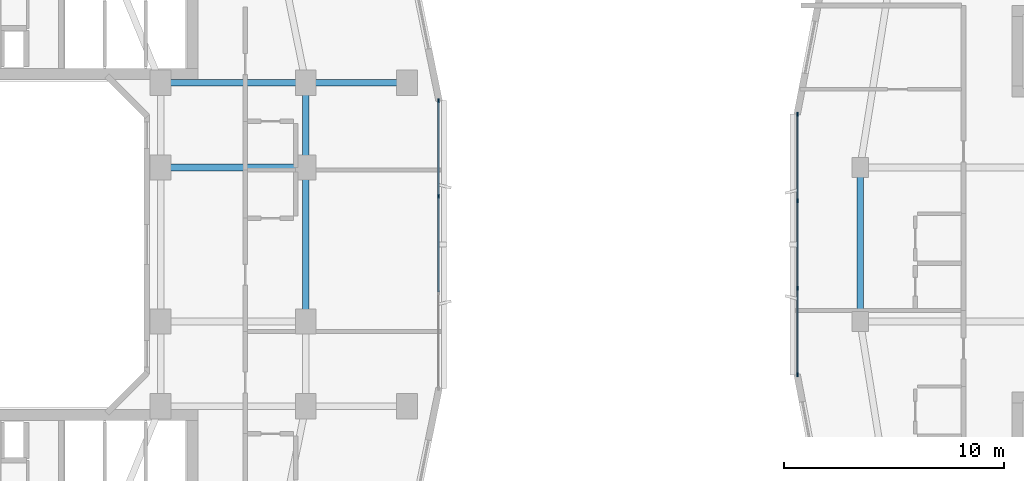
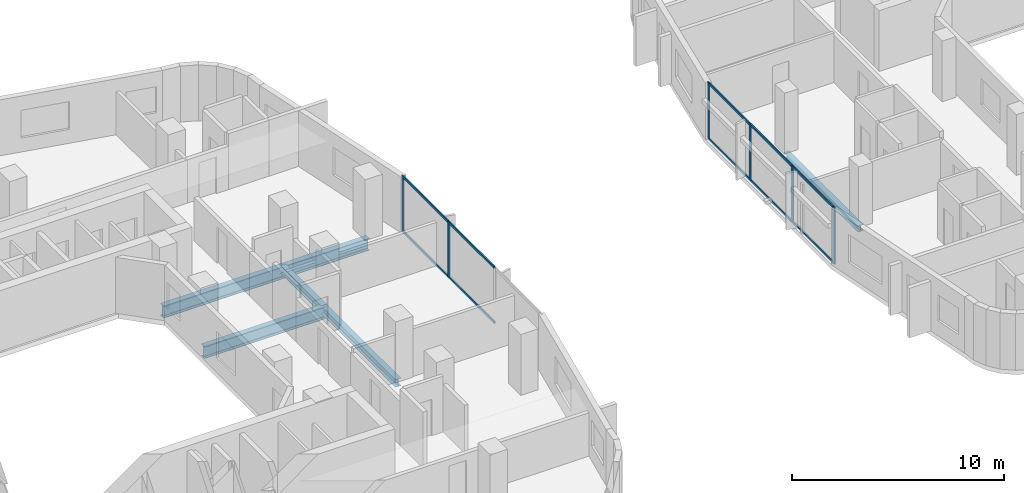
# One storey, part 4 of 22: 16 members, 6 beams, 2 elements without a shape of their own.
"""IFC4 building model written with IfcOpenShell, lengths in metres."""

from ifc_helpers import new_model, si_unit, derived_unit, direction, frame, origin, origin_2d, place, context, subcontext, project, spatial, rectangle, i_section, extrude, material, layer, layer_set, material_profile, profile_set, type_object, element, aggregate, save


model = new_model("IFC4")

# Units and contexts
model_context = context("Model", 3, precision=1e-05, world=origin(), true_north=direction((0.0, 1.0)))
body_context = subcontext(model_context, "Body", "Model", "MODEL_VIEW")
ifc_project = project(units=[si_unit("LENGTHUNIT", "METRE"), si_unit("AREAUNIT", "SQUARE_METRE"), si_unit("VOLUMEUNIT", "CUBIC_METRE"), si_unit("PLANEANGLEUNIT", "RADIAN"), si_unit("MASSUNIT", "GRAM", prefix="KILO"), derived_unit("THERMALTRANSMITTANCEUNIT", [(si_unit("POWERUNIT", "WATT"), 1), (si_unit("LENGTHUNIT", "METRE"), -2), (si_unit("THERMODYNAMICTEMPERATUREUNIT", "KELVIN"), -1)])], contexts=[model_context])

# Site, building, storey
site_placement = place(None, origin())
site = spatial("IfcSite", under=ifc_project, at=site_placement, CompositionType="ELEMENT")
building_placement = place(site_placement, origin())
building = spatial("IfcBuilding", under=site, at=building_placement, Name="Kivonza Crest Hotel", CompositionType="ELEMENT")
storey_placement = place(building_placement, frame((0.0, 0.0, 69.5)))
storey = spatial("IfcBuildingStorey", under=building, at=storey_placement, Name="L18", CompositionType="ELEMENT", Elevation=69.5)

# Beams
ifc_material_1 = material(Name="Steel S355", Category="steel")
ifc_material_profile_1 = material_profile(ifc_material_1, i_section(OverallWidth=0.300048828125, OverallDepth=0.360107421875, WebThickness=0.012451171875, FlangeThickness=0.0224609375, FilletRadius=0.027099609375, at=origin_2d()), Name="HEB 360")
ifc_profile_set_1 = profile_set([ifc_material_profile_1], Name="Steel S355")
beam_type_1 = type_object("IfcBeamType", Name="BM-HEB360", PredefinedType="SPANDREL", material=ifc_profile_set_1)
beam_1_placement = place(storey_placement, frame((61.0, 28.5, -0.429931640625), z_axis=(0.0, -1.0, 0.0), x_axis=(1.0, 0.0, 0.0)))
element("IfcBeam", 1, at=beam_1_placement, inside=storey, type_object=beam_type_1, Name="Companion Tower T2 L18 perimeter spandrel W2-W1", PredefinedType="SPANDREL", context=body_context, shape_type="SweptSolid", body=[
    extrude(i_section(OverallWidth=0.300048828125, OverallDepth=0.360107421875, WebThickness=0.012451171875, FlangeThickness=0.0224609375, FilletRadius=0.027099609375, at=origin_2d()), origin(), (0.0, 0.0, 1.0), 7.0),
])
ifc_material_profile_2 = material_profile(ifc_material_1, i_section(OverallWidth=0.300048828125, OverallDepth=0.449951171875, WebThickness=0.013916015625, FlangeThickness=0.02587890625, FilletRadius=0.027099609375, at=origin_2d()), Name="HEB 450")
ifc_profile_set_2 = profile_set([ifc_material_profile_2], Name="Steel S355")
beam_type_2 = type_object("IfcBeamType", Name="BM-HEB450", PredefinedType="SPANDREL", material=ifc_profile_set_2)
beam_2_placement = place(storey_placement, frame((35.800048828125, 21.5, -0.5048828125), z_axis=(0.0, 1.0, 0.0), x_axis=(-1.0, 0.0, 0.0)))
element("IfcBeam", 2, at=beam_2_placement, inside=storey, type_object=beam_type_2, Name="Tower T1 L18 perimeter spandrel E1-E2", PredefinedType="SPANDREL", context=body_context, shape_type="SweptSolid", body=[
    extrude(i_section(OverallWidth=0.300048828125, OverallDepth=0.449951171875, WebThickness=0.013916015625, FlangeThickness=0.02587890625, FilletRadius=0.027099609375, at=origin_2d()), origin(), (0.0, 0.0, 1.0), 7.0),
])
beam_3_placement = place(storey_placement, frame((35.800048828125, 28.5, -0.5048828125), z_axis=(0.0, 1.0, 0.0), x_axis=(-1.0, 0.0, 0.0)))
element("IfcBeam", 3, at=beam_3_placement, inside=storey, type_object=beam_type_2, Name="Tower T1 L18 perimeter spandrel E2-PNE", PredefinedType="SPANDREL", context=body_context, shape_type="SweptSolid", body=[
    extrude(i_section(OverallWidth=0.300048828125, OverallDepth=0.449951171875, WebThickness=0.013916015625, FlangeThickness=0.02587890625, FilletRadius=0.027099609375, at=origin_2d()), origin(), (0.0, 0.0, 1.0), 3.85009765625),
])
ifc_material_profile_3 = material_profile(ifc_material_1, i_section(OverallWidth=0.300048828125, OverallDepth=0.699951171875, WebThickness=0.01708984375, FlangeThickness=0.031982421875, FilletRadius=0.027099609375, at=origin_2d()), Name="HEB 700")
ifc_profile_set_3 = profile_set([ifc_material_profile_3], Name="Steel S355")
beam_type_3 = type_object("IfcBeamType", Name="BM-HEB700", PredefinedType="BEAM", material=ifc_profile_set_3)
for number, where, z_axis, x_axis, name in (
    (4, (29.199951171875, 32.35009765625, -0.6298828125), (1.0, 0.0, 0.0), (0.0, 1.0, 0.0), "Tower T1 L18 primary girder TNE-PNE"),
    (5, (29.199951171875, 28.5, -0.6298828125), (1.0, 0.0, 0.0), (0.0, 1.0, 0.0), "Tower T1 L18 primary girder WR2-E2"),
):
    element("IfcBeam", number, at=place(storey_placement, frame(where, z_axis=z_axis, x_axis=x_axis)), inside=storey, type_object=beam_type_3, Name=name, PredefinedType="BEAM", context=body_context, shape_type="SweptSolid", body=[
        extrude(i_section(OverallWidth=0.300048828125, OverallDepth=0.699951171875, WebThickness=0.01708984375, FlangeThickness=0.031982421875, FilletRadius=0.027099609375, at=origin_2d()), origin(), (0.0, 0.0, 1.0), 6.60009765625),
    ])
beam_4_placement = place(storey_placement, frame((40.39990234375, 32.35009765625, -0.6298828125), z_axis=(-1.0, 0.0, 0.0), x_axis=(0.0, -1.0, 0.0)))
element("IfcBeam", 6, at=beam_4_placement, inside=storey, type_object=beam_type_3, Name="Tower T1 L18 outer bay girder ZE2", PredefinedType="BEAM", context=body_context, shape_type="SweptSolid", body=[
    extrude(i_section(OverallWidth=0.300048828125, OverallDepth=0.699951171875, WebThickness=0.01708984375, FlangeThickness=0.031982421875, FilletRadius=0.027099609375, at=origin_2d()), origin(), (0.0, 0.0, 1.0), 4.599853515625),
])

# Curtain wall, members
ifc_material_2 = material(Name="Anodised bronze aluminium and low-E double glazing", Category="aluminium")
ifc_layer_1 = layer(ifc_material_2, 0.179931640625)
ifc_layer_set_1 = layer_set([ifc_layer_1], Name="Anodised bronze aluminium and low-E double glazing")
curtain_wall_type_1 = type_object("IfcCurtainWallType", Name="CW-SYS-2", PredefinedType="NOTDEFINED", material=ifc_layer_set_1)
curtain_wall_1_placement = place(storey_placement, origin())
curtain_wall_1 = element("IfcCurtainWall", 7, at=curtain_wall_1_placement, inside=storey, type_object=curtain_wall_type_1, Name="L18 unitised curtain wall CW-T1-L18-17", PredefinedType="NOTDEFINED")
ifc_material_3 = material(Name="Anodised bronze aluminium", Category="aluminium")
ifc_material_profile_4 = material_profile(ifc_material_3, rectangle(XDim=0.06494140625, YDim=0.179931640625, at=origin_2d()), Name="CW-M 65x180")
ifc_profile_set_4 = profile_set([ifc_material_profile_4], Name="Anodised bronze aluminium")
member_type_1 = type_object("IfcMemberType", Name="CW-MUL-65x180", PredefinedType="MULLION", material=ifc_profile_set_4)
member_1_placement = place(storey_placement, frame((41.840087890625, 27.186767578125, 0.0), z_axis=(0.0, 0.0, 1.0), x_axis=(-1.0, 0.0, 0.0)))
member_1 = element("IfcMember", 8, at=member_1_placement, type_object=member_type_1, Name="CW-2 mullion 3", PredefinedType="MULLION", context=body_context, shape_type="SweptSolid", body=[
    extrude(rectangle(XDim=0.06494140625, YDim=0.179931640625, at=origin_2d()), origin(), (0.0, 0.0, 1.0), 3.219970703125),
])
member_2_placement = place(storey_placement, frame((41.840087890625, 31.527587890625, 0.0), z_axis=(0.0, 0.0, 1.0), x_axis=(-1.0, 0.0, 0.0)))
member_2 = element("IfcMember", 9, at=member_2_placement, type_object=member_type_1, Name="CW-2 mullion 4", PredefinedType="MULLION", context=body_context, shape_type="SweptSolid", body=[
    extrude(rectangle(XDim=0.06494140625, YDim=0.179931640625, at=origin_2d()), origin(), (0.0, 0.0, 1.0), 3.219970703125),
])

ifc_layer_2 = layer(ifc_material_2, 0.179931640625)
ifc_layer_set_2 = layer_set([ifc_layer_2], Name="Anodised bronze aluminium and low-E double glazing")
curtain_wall_type_2 = type_object("IfcCurtainWallType", Name="CW-SYS-4", PredefinedType="NOTDEFINED", material=ifc_layer_set_2)
curtain_wall_2_placement = place(storey_placement, origin())
curtain_wall_2 = element("IfcCurtainWall", 10, at=curtain_wall_2_placement, inside=storey, type_object=curtain_wall_type_2, Name="L18 unitised curtain wall CW-T2-L18-35", PredefinedType="NOTDEFINED")
member_3_placement = place(storey_placement, frame((58.159912109375, 30.927490234375, 0.0), z_axis=(0.0, 0.0, 1.0), x_axis=(1.0, 0.0, 0.0)))
member_3 = element("IfcMember", 11, at=member_3_placement, type_object=member_type_1, Name="CW-4 mullion 1", PredefinedType="MULLION", context=body_context, shape_type="SweptSolid", body=[
    extrude(rectangle(XDim=0.06494140625, YDim=0.179931640625, at=origin_2d()), origin(), (0.0, 0.0, 1.0), 3.25),
])
member_4_placement = place(storey_placement, frame((58.159912109375, 26.986572265625, 0.0), z_axis=(0.0, 0.0, 1.0), x_axis=(1.0, 0.0, 0.0)))
member_4 = element("IfcMember", 12, at=member_4_placement, type_object=member_type_1, Name="CW-4 mullion 2", PredefinedType="MULLION", context=body_context, shape_type="SweptSolid", body=[
    extrude(rectangle(XDim=0.06494140625, YDim=0.179931640625, at=origin_2d()), origin(), (0.0, 0.0, 1.0), 3.25),
])
member_5_placement = place(storey_placement, frame((58.159912109375, 23.013427734375, 0.0), z_axis=(0.0, 0.0, 1.0), x_axis=(1.0, 0.0, 0.0)))
member_5 = element("IfcMember", 13, at=member_5_placement, type_object=member_type_1, Name="CW-4 mullion 3", PredefinedType="MULLION", context=body_context, shape_type="SweptSolid", body=[
    extrude(rectangle(XDim=0.06494140625, YDim=0.179931640625, at=origin_2d()), origin(), (0.0, 0.0, 1.0), 3.25),
])
member_6_placement = place(storey_placement, frame((58.159912109375, 19.072509765625, 0.0), z_axis=(0.0, 0.0, 1.0), x_axis=(1.0, 0.0, 0.0)))
member_6 = element("IfcMember", 14, at=member_6_placement, type_object=member_type_1, Name="CW-4 mullion 4", PredefinedType="MULLION", context=body_context, shape_type="SweptSolid", body=[
    extrude(rectangle(XDim=0.06494140625, YDim=0.179931640625, at=origin_2d()), origin(), (0.0, 0.0, 1.0), 3.25),
])

# Member
ifc_material_profile_5 = material_profile(ifc_material_3, rectangle(XDim=0.06494140625, YDim=0.139892578125, at=origin_2d()), Name="CW-T 65x140")
ifc_profile_set_5 = profile_set([ifc_material_profile_5], Name="Anodised bronze aluminium")
member_type_2 = type_object("IfcMemberType", Name="CW-TRN-65x140", PredefinedType="USERDEFINED", material=ifc_profile_set_5)
member_7_placement = place(storey_placement, frame((41.840087890625, 22.845947265625, 0.032470703125), z_axis=(0.0, 1.0, 0.0), x_axis=(-1.0, 0.0, 0.0)))
member_7 = element("IfcMember", 15, at=member_7_placement, type_object=member_type_2, Name="CW-2 transom 2.1", ObjectType="TRANSOM", PredefinedType="USERDEFINED", context=body_context, shape_type="SweptSolid", body=[
    extrude(rectangle(XDim=0.06494140625, YDim=0.139892578125, at=origin_2d()), origin(), (0.0, 0.0, 1.0), 4.30810546875),
])

member_8_placement = place(storey_placement, frame((41.840087890625, 22.845947265625, 3.1875), z_axis=(0.0, 1.0, 0.0), x_axis=(-1.0, 0.0, 0.0)))
member_8 = element("IfcMember", 16, at=member_8_placement, type_object=member_type_2, Name="CW-2 transom 2.2", ObjectType="TRANSOM", PredefinedType="USERDEFINED", context=body_context, shape_type="SweptSolid", body=[
    extrude(rectangle(XDim=0.06494140625, YDim=0.139892578125, at=origin_2d()), origin(), (0.0, 0.0, 1.0), 4.30810546875),
])

member_9_placement = place(storey_placement, frame((41.840087890625, 27.21923828125, 0.032470703125), z_axis=(0.0, 1.0, 0.0), x_axis=(-1.0, 0.0, 0.0)))
member_9 = element("IfcMember", 17, at=member_9_placement, type_object=member_type_2, Name="CW-2 transom 3.1", ObjectType="TRANSOM", PredefinedType="USERDEFINED", context=body_context, shape_type="SweptSolid", body=[
    extrude(rectangle(XDim=0.06494140625, YDim=0.139892578125, at=origin_2d()), origin(), (0.0, 0.0, 1.0), 4.27587890625),
])

member_10_placement = place(storey_placement, frame((41.840087890625, 27.21923828125, 3.1875), z_axis=(0.0, 1.0, 0.0), x_axis=(-1.0, 0.0, 0.0)))
member_10 = element("IfcMember", 18, at=member_10_placement, type_object=member_type_2, Name="CW-2 transom 3.2", ObjectType="TRANSOM", PredefinedType="USERDEFINED", context=body_context, shape_type="SweptSolid", body=[
    extrude(rectangle(XDim=0.06494140625, YDim=0.139892578125, at=origin_2d()), origin(), (0.0, 0.0, 1.0), 4.27587890625),
])

aggregate(curtain_wall_1, [member_1, member_2, member_7, member_8, member_9, member_10])

member_11_placement = place(storey_placement, frame((58.159912109375, 30.89501953125, 0.032470703125), z_axis=(0.0, -1.0, 0.0), x_axis=(1.0, 0.0, 0.0)))
member_11 = element("IfcMember", 19, at=member_11_placement, type_object=member_type_2, Name="CW-4 transom 1.1", ObjectType="TRANSOM", PredefinedType="USERDEFINED", context=body_context, shape_type="SweptSolid", body=[
    extrude(rectangle(XDim=0.06494140625, YDim=0.139892578125, at=origin_2d()), origin(), (0.0, 0.0, 1.0), 3.875732421875),
])

member_12_placement = place(storey_placement, frame((58.159912109375, 30.89501953125, 3.217529296875), z_axis=(0.0, -1.0, 0.0), x_axis=(1.0, 0.0, 0.0)))
member_12 = element("IfcMember", 20, at=member_12_placement, type_object=member_type_2, Name="CW-4 transom 1.2", ObjectType="TRANSOM", PredefinedType="USERDEFINED", context=body_context, shape_type="SweptSolid", body=[
    extrude(rectangle(XDim=0.06494140625, YDim=0.139892578125, at=origin_2d()), origin(), (0.0, 0.0, 1.0), 3.875732421875),
])

member_13_placement = place(storey_placement, frame((58.159912109375, 26.9541015625, 0.032470703125), z_axis=(0.0, -1.0, 0.0), x_axis=(1.0, 0.0, 0.0)))
member_13 = element("IfcMember", 21, at=member_13_placement, type_object=member_type_2, Name="CW-4 transom 2.1", ObjectType="TRANSOM", PredefinedType="USERDEFINED", context=body_context, shape_type="SweptSolid", body=[
    extrude(rectangle(XDim=0.06494140625, YDim=0.139892578125, at=origin_2d()), origin(), (0.0, 0.0, 1.0), 3.908203125),
])

member_14_placement = place(storey_placement, frame((58.159912109375, 26.9541015625, 3.217529296875), z_axis=(0.0, -1.0, 0.0), x_axis=(1.0, 0.0, 0.0)))
member_14 = element("IfcMember", 22, at=member_14_placement, type_object=member_type_2, Name="CW-4 transom 2.2", ObjectType="TRANSOM", PredefinedType="USERDEFINED", context=body_context, shape_type="SweptSolid", body=[
    extrude(rectangle(XDim=0.06494140625, YDim=0.139892578125, at=origin_2d()), origin(), (0.0, 0.0, 1.0), 3.908203125),
])

member_15_placement = place(storey_placement, frame((58.159912109375, 22.980712890625, 0.032470703125), z_axis=(0.0, -1.0, 0.0), x_axis=(1.0, 0.0, 0.0)))
member_15 = element("IfcMember", 23, at=member_15_placement, type_object=member_type_2, Name="CW-4 transom 3.1", ObjectType="TRANSOM", PredefinedType="USERDEFINED", context=body_context, shape_type="SweptSolid", body=[
    extrude(rectangle(XDim=0.06494140625, YDim=0.139892578125, at=origin_2d()), origin(), (0.0, 0.0, 1.0), 3.875732421875),
])

member_16_placement = place(storey_placement, frame((58.159912109375, 22.980712890625, 3.217529296875), z_axis=(0.0, -1.0, 0.0), x_axis=(1.0, 0.0, 0.0)))
member_16 = element("IfcMember", 24, at=member_16_placement, type_object=member_type_2, Name="CW-4 transom 3.2", ObjectType="TRANSOM", PredefinedType="USERDEFINED", context=body_context, shape_type="SweptSolid", body=[
    extrude(rectangle(XDim=0.06494140625, YDim=0.139892578125, at=origin_2d()), origin(), (0.0, 0.0, 1.0), 3.875732421875),
])

aggregate(curtain_wall_2, [member_3, member_4, member_5, member_6, member_11, member_12, member_13, member_14, member_15, member_16])

save(model, "model.ifc")
